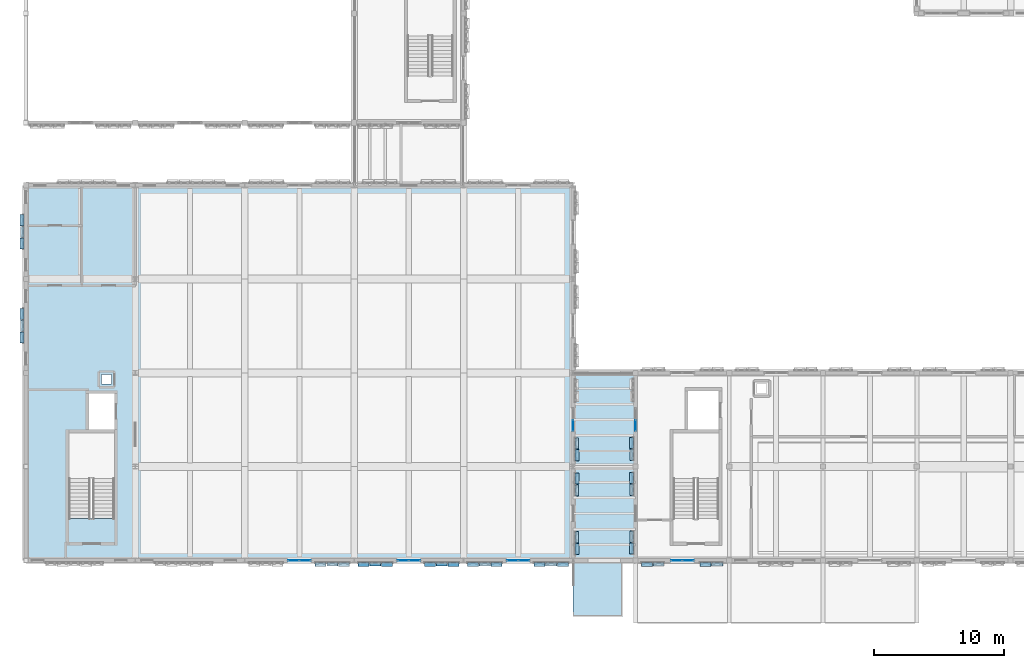
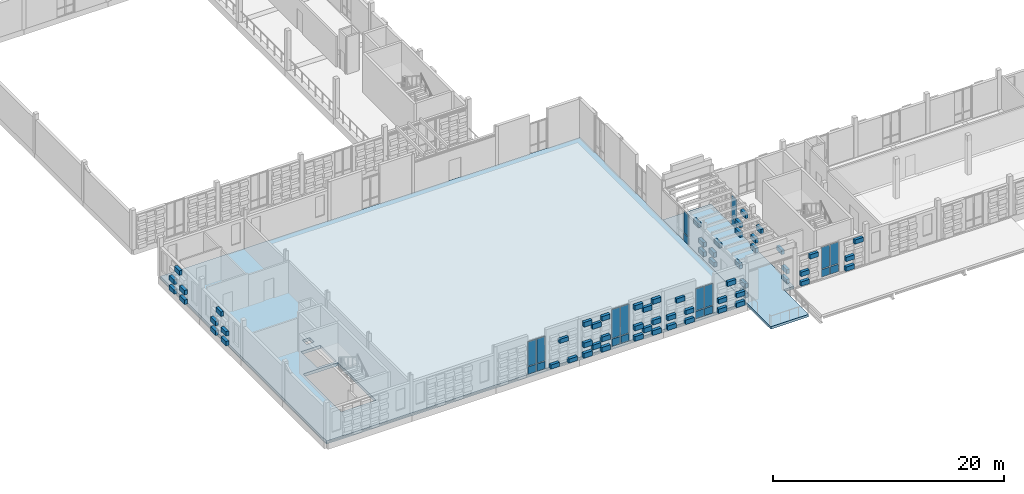
# One storey, part 44 of 99: 83 plates, 2 slabs, 6 elements without a shape of their own.
"""IFC4 building model written with IfcOpenShell, lengths in metres."""

from ifc_helpers import new_model, si_unit, direction, frame, origin, origin_2d, place, context, subcontext, project, spatial, polyline, rectangle, outline, extrude, material, layer, layer_set, type_object, element, aggregate, save


model = new_model("IFC4")

# Units and contexts
model_context = context("Model", 3, precision=1e-05, world=origin(), true_north=direction((0.0, 1.0)))
body_context = subcontext(model_context, "Body", "Model", "MODEL_VIEW")
ifc_project = project(units=[si_unit("LENGTHUNIT", "METRE"), si_unit("AREAUNIT", "SQUARE_METRE"), si_unit("VOLUMEUNIT", "CUBIC_METRE"), si_unit("PLANEANGLEUNIT", "RADIAN"), si_unit("MASSUNIT", "GRAM", prefix="KILO")], contexts=[model_context])

# Site, building, storey
site_placement = place(None, origin())
site = spatial("IfcSite", under=ifc_project, at=site_placement, CompositionType="ELEMENT")
building_placement = place(site_placement, origin())
building = spatial("IfcBuilding", under=site, at=building_placement, Name="Kahlenmark Community Centre", CompositionType="ELEMENT")
storey_placement = place(building_placement, frame((0.0, 0.0, 5.39990234375)))
storey = spatial("IfcBuildingStorey", under=building, at=storey_placement, Name="L01", CompositionType="ELEMENT", Elevation=5.39990234375)

# Curtain wall, plates
ifc_material_1 = material(Name="Anodised aluminium unitised curtain wall", Category="aluminium")
curtain_wall_type_1 = type_object("IfcCurtainWallType", Name="CWT-UNIT-180X321", PredefinedType="USERDEFINED", material=ifc_material_1)
curtain_wall_1_placement = place(storey_placement, origin())
curtain_wall_1 = element("IfcCurtainWall", 1, at=curtain_wall_1_placement, inside=storey, type_object=curtain_wall_type_1, Name="Unitised curtain wall CW-003", ObjectType="UNITISED CURTAIN WALL", PredefinedType="USERDEFINED")
ifc_material_2 = material(Name="Triple low-e solar-control glass unit", Category="glass")
ifc_layer_1 = layer(ifc_material_2, 0.0439453125)
ifc_layer_set_1 = layer_set([ifc_layer_1], Name="Triple low-e solar-control glass unit")
plate_type_1 = type_object("IfcPlateType", Name="PLT-CW-GLZ-820X2280", PredefinedType="CURTAIN_PANEL", material=ifc_layer_set_1)
plate_1_placement = place(storey_placement, frame((41.35009765625, 8.800048828125, 0.89013671875), z_axis=(0.0, 0.0, 1.0), x_axis=(1.0, 0.0, 0.0)))
plate_1 = element("IfcPlate", 2, at=plate_1_placement, type_object=plate_type_1, Name="CW-003 glazed panel 1", PredefinedType="CURTAIN_PANEL", context=body_context, shape_type="SweptSolid", body=[
    extrude(rectangle(XDim=0.820068359375, YDim=0.0439453125, at=origin_2d()), origin(), (0.0, 0.0, 1.0), 2.280029296875),
])
plate_2_placement = place(storey_placement, frame((42.25, 8.800048828125, 0.89013671875), z_axis=(0.0, 0.0, 1.0), x_axis=(1.0, 0.0, 0.0)))
plate_2 = element("IfcPlate", 3, at=plate_2_placement, type_object=plate_type_1, Name="CW-003 glazed panel 2", PredefinedType="CURTAIN_PANEL", context=body_context, shape_type="SweptSolid", body=[
    extrude(rectangle(XDim=0.820068359375, YDim=0.0439453125, at=origin_2d()), origin(), (0.0, 0.0, 1.0), 2.280029296875),
])

# Curtain wall, plate
curtain_wall_2_placement = place(storey_placement, origin())
curtain_wall_2 = element("IfcCurtainWall", 4, at=curtain_wall_2_placement, inside=storey, type_object=curtain_wall_type_1, Name="Unitised curtain wall CW-006", ObjectType="UNITISED CURTAIN WALL", PredefinedType="USERDEFINED")
plate_3_placement = place(storey_placement, frame((46.0, 19.14990234375, 0.89013671875), z_axis=(0.0, 0.0, 1.0), x_axis=(0.0, 1.0, 0.0)))
plate_3 = element("IfcPlate", 5, at=plate_3_placement, type_object=plate_type_1, Name="CW-006 glazed panel 1", PredefinedType="CURTAIN_PANEL", context=body_context, shape_type="SweptSolid", body=[
    extrude(rectangle(XDim=0.820068359375, YDim=0.0439453125, at=origin_2d()), origin(), (0.0, 0.0, 1.0), 2.280029296875),
])

# Curtain wall, plates
curtain_wall_3_placement = place(storey_placement, origin())
curtain_wall_3 = element("IfcCurtainWall", 6, at=curtain_wall_3_placement, inside=storey, type_object=curtain_wall_type_1, Name="Unitised curtain wall CW-019", ObjectType="UNITISED CURTAIN WALL", PredefinedType="USERDEFINED")
plate_4_placement = place(storey_placement, frame((53.949951171875, 8.800048828125, 0.89013671875), z_axis=(0.0, 0.0, 1.0), x_axis=(1.0, 0.0, 0.0)))
plate_4 = element("IfcPlate", 7, at=plate_4_placement, type_object=plate_type_1, Name="CW-019 glazed panel 1", PredefinedType="CURTAIN_PANEL", context=body_context, shape_type="SweptSolid", body=[
    extrude(rectangle(XDim=0.820068359375, YDim=0.0439453125, at=origin_2d()), origin(), (0.0, 0.0, 1.0), 2.280029296875),
])
plate_5_placement = place(storey_placement, frame((54.85009765625, 8.800048828125, 0.89013671875), z_axis=(0.0, 0.0, 1.0), x_axis=(1.0, 0.0, 0.0)))
plate_5 = element("IfcPlate", 8, at=plate_5_placement, type_object=plate_type_1, Name="CW-019 glazed panel 2", PredefinedType="CURTAIN_PANEL", context=body_context, shape_type="SweptSolid", body=[
    extrude(rectangle(XDim=0.820068359375, YDim=0.0439453125, at=origin_2d()), origin(), (0.0, 0.0, 1.0), 2.280029296875),
])

# Curtain wall, plate
curtain_wall_4_placement = place(storey_placement, origin())
curtain_wall_4 = element("IfcCurtainWall", 9, at=curtain_wall_4_placement, inside=storey, type_object=curtain_wall_type_1, Name="Unitised curtain wall CW-027", ObjectType="UNITISED CURTAIN WALL", PredefinedType="USERDEFINED")
plate_6_placement = place(storey_placement, frame((50.800048828125, 19.14990234375, 0.89013671875), z_axis=(0.0, 0.0, 1.0), x_axis=(0.0, -1.0, 0.0)))
plate_6 = element("IfcPlate", 10, at=plate_6_placement, type_object=plate_type_1, Name="CW-027 glazed panel 2", PredefinedType="CURTAIN_PANEL", context=body_context, shape_type="SweptSolid", body=[
    extrude(rectangle(XDim=0.820068359375, YDim=0.0439453125, at=origin_2d()), origin(), (0.0, 0.0, 1.0), 2.280029296875),
])

# Curtain wall, plates
curtain_wall_type_2 = type_object("IfcCurtainWallType", Name="CWT-UNIT-180X350", PredefinedType="USERDEFINED", material=ifc_material_1)
curtain_wall_5_placement = place(storey_placement, origin())
curtain_wall_5 = element("IfcCurtainWall", 11, at=curtain_wall_5_placement, inside=storey, type_object=curtain_wall_type_2, Name="Unitised curtain wall CW-001", ObjectType="UNITISED CURTAIN WALL", PredefinedType="USERDEFINED")
ifc_layer_2 = layer(ifc_material_2, 0.0439453125)
ifc_layer_set_2 = layer_set([ifc_layer_2], Name="Triple low-e solar-control glass unit")
plate_type_2 = type_object("IfcPlateType", Name="PLT-CW-GLZ-820X2570", PredefinedType="CURTAIN_PANEL", material=ifc_layer_set_2)
plate_7_placement = place(storey_placement, frame((24.550048828125, 8.800048828125, 0.89013671875), z_axis=(0.0, 0.0, 1.0), x_axis=(1.0, 0.0, 0.0)))
plate_7 = element("IfcPlate", 12, at=plate_7_placement, type_object=plate_type_2, Name="CW-001 glazed panel 1", PredefinedType="CURTAIN_PANEL", context=body_context, shape_type="SweptSolid", body=[
    extrude(rectangle(XDim=0.820068359375, YDim=0.0439453125, at=origin_2d()), origin(), (0.0, 0.0, 1.0), 2.570068359375),
])
plate_8_placement = place(storey_placement, frame((25.449951171875, 8.800048828125, 0.89013671875), z_axis=(0.0, 0.0, 1.0), x_axis=(1.0, 0.0, 0.0)))
plate_8 = element("IfcPlate", 13, at=plate_8_placement, type_object=plate_type_2, Name="CW-001 glazed panel 2", PredefinedType="CURTAIN_PANEL", context=body_context, shape_type="SweptSolid", body=[
    extrude(rectangle(XDim=0.820068359375, YDim=0.0439453125, at=origin_2d()), origin(), (0.0, 0.0, 1.0), 2.570068359375),
])

curtain_wall_type_3 = type_object("IfcCurtainWallType", Name="CWT-UNIT-180X398", PredefinedType="USERDEFINED", material=ifc_material_1)
curtain_wall_6_placement = place(storey_placement, origin())
curtain_wall_6 = element("IfcCurtainWall", 14, at=curtain_wall_6_placement, inside=storey, type_object=curtain_wall_type_3, Name="Unitised curtain wall CW-002", ObjectType="UNITISED CURTAIN WALL", PredefinedType="USERDEFINED")
ifc_layer_3 = layer(ifc_material_2, 0.0439453125)
ifc_layer_set_3 = layer_set([ifc_layer_3], Name="Triple low-e solar-control glass unit")
plate_type_3 = type_object("IfcPlateType", Name="PLT-CW-GLZ-820X3050", PredefinedType="CURTAIN_PANEL", material=ifc_layer_set_3)
plate_9_placement = place(storey_placement, frame((32.949951171875, 8.800048828125, 0.89013671875), z_axis=(0.0, 0.0, 1.0), x_axis=(1.0, 0.0, 0.0)))
plate_9 = element("IfcPlate", 15, at=plate_9_placement, type_object=plate_type_3, Name="CW-002 glazed panel 1", PredefinedType="CURTAIN_PANEL", context=body_context, shape_type="SweptSolid", body=[
    extrude(rectangle(XDim=0.820068359375, YDim=0.0439453125, at=origin_2d()), origin(), (0.0, 0.0, 1.0), 3.050048828125),
])
plate_10_placement = place(storey_placement, frame((33.85009765625, 8.800048828125, 0.89013671875), z_axis=(0.0, 0.0, 1.0), x_axis=(1.0, 0.0, 0.0)))
plate_10 = element("IfcPlate", 16, at=plate_10_placement, type_object=plate_type_3, Name="CW-002 glazed panel 2", PredefinedType="CURTAIN_PANEL", context=body_context, shape_type="SweptSolid", body=[
    extrude(rectangle(XDim=0.820068359375, YDim=0.0439453125, at=origin_2d()), origin(), (0.0, 0.0, 1.0), 3.050048828125),
])

# Plate
ifc_material_3 = material(Name="Warm terracotta insulated spandrel cassette", Category="masonry")
ifc_layer_4 = layer(ifc_material_3, 0.06005859375)
ifc_layer_set_4 = layer_set([ifc_layer_4], Name="Warm terracotta insulated spandrel cassette")
plate_type_4 = type_object("IfcPlateType", Name="PLT-CW-SPD-820X770", PredefinedType="CURTAIN_PANEL", material=ifc_layer_set_4)
plate_11_placement = place(storey_placement, frame((24.550048828125, 8.800048828125, 0.0400390625), z_axis=(0.0, 0.0, 1.0), x_axis=(1.0, 0.0, 0.0)))
plate_11 = element("IfcPlate", 17, at=plate_11_placement, type_object=plate_type_4, Name="CW-001 spandrel 1", PredefinedType="CURTAIN_PANEL", context=body_context, shape_type="SweptSolid", body=[
    extrude(rectangle(XDim=0.820068359375, YDim=0.06005859375, at=origin_2d()), origin(), (0.0, 0.0, 1.0), 0.77001953125),
])

plate_12_placement = place(storey_placement, frame((25.449951171875, 8.800048828125, 0.0400390625), z_axis=(0.0, 0.0, 1.0), x_axis=(1.0, 0.0, 0.0)))
plate_12 = element("IfcPlate", 18, at=plate_12_placement, type_object=plate_type_4, Name="CW-001 spandrel 2", PredefinedType="CURTAIN_PANEL", context=body_context, shape_type="SweptSolid", body=[
    extrude(rectangle(XDim=0.820068359375, YDim=0.06005859375, at=origin_2d()), origin(), (0.0, 0.0, 1.0), 0.77001953125),
])

aggregate(curtain_wall_5, [plate_11, plate_7, plate_12, plate_8])

plate_13_placement = place(storey_placement, frame((32.949951171875, 8.800048828125, 0.0400390625), z_axis=(0.0, 0.0, 1.0), x_axis=(1.0, 0.0, 0.0)))
plate_13 = element("IfcPlate", 19, at=plate_13_placement, type_object=plate_type_4, Name="CW-002 spandrel 1", PredefinedType="CURTAIN_PANEL", context=body_context, shape_type="SweptSolid", body=[
    extrude(rectangle(XDim=0.820068359375, YDim=0.06005859375, at=origin_2d()), origin(), (0.0, 0.0, 1.0), 0.77001953125),
])

plate_14_placement = place(storey_placement, frame((33.85009765625, 8.800048828125, 0.0400390625), z_axis=(0.0, 0.0, 1.0), x_axis=(1.0, 0.0, 0.0)))
plate_14 = element("IfcPlate", 20, at=plate_14_placement, type_object=plate_type_4, Name="CW-002 spandrel 2", PredefinedType="CURTAIN_PANEL", context=body_context, shape_type="SweptSolid", body=[
    extrude(rectangle(XDim=0.820068359375, YDim=0.06005859375, at=origin_2d()), origin(), (0.0, 0.0, 1.0), 0.77001953125),
])

aggregate(curtain_wall_6, [plate_13, plate_9, plate_14, plate_10])

plate_15_placement = place(storey_placement, frame((41.35009765625, 8.800048828125, 0.0400390625), z_axis=(0.0, 0.0, 1.0), x_axis=(1.0, 0.0, 0.0)))
plate_15 = element("IfcPlate", 21, at=plate_15_placement, type_object=plate_type_4, Name="CW-003 spandrel 1", PredefinedType="CURTAIN_PANEL", context=body_context, shape_type="SweptSolid", body=[
    extrude(rectangle(XDim=0.820068359375, YDim=0.06005859375, at=origin_2d()), origin(), (0.0, 0.0, 1.0), 0.77001953125),
])

plate_16_placement = place(storey_placement, frame((42.25, 8.800048828125, 0.0400390625), z_axis=(0.0, 0.0, 1.0), x_axis=(1.0, 0.0, 0.0)))
plate_16 = element("IfcPlate", 22, at=plate_16_placement, type_object=plate_type_4, Name="CW-003 spandrel 2", PredefinedType="CURTAIN_PANEL", context=body_context, shape_type="SweptSolid", body=[
    extrude(rectangle(XDim=0.820068359375, YDim=0.06005859375, at=origin_2d()), origin(), (0.0, 0.0, 1.0), 0.77001953125),
])

aggregate(curtain_wall_1, [plate_15, plate_1, plate_16, plate_2])

plate_17_placement = place(storey_placement, frame((46.0, 19.14990234375, 0.0400390625), z_axis=(0.0, 0.0, 1.0), x_axis=(0.0, 1.0, 0.0)))
plate_17 = element("IfcPlate", 23, at=plate_17_placement, type_object=plate_type_4, Name="CW-006 spandrel 1", PredefinedType="CURTAIN_PANEL", context=body_context, shape_type="SweptSolid", body=[
    extrude(rectangle(XDim=0.820068359375, YDim=0.06005859375, at=origin_2d()), origin(), (0.0, 0.0, 1.0), 0.77001953125),
])

aggregate(curtain_wall_2, [plate_17, plate_3])

plate_18_placement = place(storey_placement, frame((53.949951171875, 8.800048828125, 0.0400390625), z_axis=(0.0, 0.0, 1.0), x_axis=(1.0, 0.0, 0.0)))
plate_18 = element("IfcPlate", 24, at=plate_18_placement, type_object=plate_type_4, Name="CW-019 spandrel 1", PredefinedType="CURTAIN_PANEL", context=body_context, shape_type="SweptSolid", body=[
    extrude(rectangle(XDim=0.820068359375, YDim=0.06005859375, at=origin_2d()), origin(), (0.0, 0.0, 1.0), 0.77001953125),
])

plate_19_placement = place(storey_placement, frame((54.85009765625, 8.800048828125, 0.0400390625), z_axis=(0.0, 0.0, 1.0), x_axis=(1.0, 0.0, 0.0)))
plate_19 = element("IfcPlate", 25, at=plate_19_placement, type_object=plate_type_4, Name="CW-019 spandrel 2", PredefinedType="CURTAIN_PANEL", context=body_context, shape_type="SweptSolid", body=[
    extrude(rectangle(XDim=0.820068359375, YDim=0.06005859375, at=origin_2d()), origin(), (0.0, 0.0, 1.0), 0.77001953125),
])

aggregate(curtain_wall_3, [plate_18, plate_4, plate_19, plate_5])

plate_20_placement = place(storey_placement, frame((50.800048828125, 19.14990234375, 0.0400390625), z_axis=(0.0, 0.0, 1.0), x_axis=(0.0, -1.0, 0.0)))
plate_20 = element("IfcPlate", 26, at=plate_20_placement, type_object=plate_type_4, Name="CW-027 spandrel 2", PredefinedType="CURTAIN_PANEL", context=body_context, shape_type="SweptSolid", body=[
    extrude(rectangle(XDim=0.820068359375, YDim=0.06005859375, at=origin_2d()), origin(), (0.0, 0.0, 1.0), 0.77001953125),
])

aggregate(curtain_wall_4, [plate_20, plate_6])

# Plates
ifc_material_4 = material(Name="Extruded glazed terracotta weave cassette", Category="masonry")
ifc_layer_5 = layer(ifc_material_4, 0.300048828125)
ifc_layer_set_5 = layer_set([ifc_layer_5], Name="Extruded glazed terracotta weave cassette")
plate_type_5 = type_object("IfcPlateType", Name="PLT-TC-TC-R34-820X300X506", PredefinedType="SHEET", material=ifc_layer_set_5)
for number, where, z_axis, x_axis, name in (
    (27, (29.929931640625, 8.5, 3.3759765625), (0.0, 0.0, 1.0), (1.0, 0.0, 0.0), "Basketweave terracotta cassette 0109"),
    (28, (31.72998046875, 8.5, 3.3759765625), (0.0, 0.0, 1.0), (1.0, 0.0, 0.0), "Basketweave terracotta cassette 0123"),
    (29, (35.030029296875, 8.5, 3.3759765625), (0.0, 0.0, 1.0), (1.0, 0.0, 0.0), "Basketweave terracotta cassette 0130"),
    (30, (36.830078125, 8.5, 3.3759765625), (0.0, 0.0, 1.0), (1.0, 0.0, 0.0), "Basketweave terracotta cassette 0144"),
):
    element("IfcPlate", number, at=place(storey_placement, frame(where, z_axis=z_axis, x_axis=x_axis)), inside=storey, type_object=plate_type_5, Name=name, PredefinedType="SHEET", context=body_context, shape_type="SweptSolid", body=[
        extrude(rectangle(XDim=0.820068359375, YDim=0.300048828125, at=origin_2d()), origin(), (0.0, 0.0, 1.0), 0.506103515625),
    ])
ifc_layer_6 = layer(ifc_material_4, 0.300048828125)
ifc_layer_set_6 = layer_set([ifc_layer_6], Name="Extruded glazed terracotta weave cassette")
plate_type_6 = type_object("IfcPlateType", Name="PLT-TC-TC-R34-840X300X468", PredefinedType="SHEET", material=ifc_layer_set_6)
for number, where, z_axis, x_axis, name in (
    (31, (38.330078125, 8.5, 1.1162109375), (0.0, 0.0, 1.0), (1.0, 0.0, 0.0), "Basketweave terracotta cassette 0147"),
    (32, (40.1298828125, 8.5, 1.1162109375), (0.0, 0.0, 1.0), (1.0, 0.0, 0.0), "Basketweave terracotta cassette 0159"),
    (33, (43.429931640625, 8.5, 1.1162109375), (0.0, 0.0, 1.0), (1.0, 0.0, 0.0), "Basketweave terracotta cassette 0165"),
    (34, (45.22998046875, 8.5, 1.1162109375), (0.0, 0.0, 1.0), (1.0, 0.0, 0.0), "Basketweave terracotta cassette 0177"),
    (35, (46.300048828125, 9.679931640625, 1.1162109375), (0.0, 0.0, 1.0), (0.0, 1.0, 0.0), "Basketweave terracotta cassette 0387"),
    (36, (46.300048828125, 15.080078125, 1.1162109375), (0.0, 0.0, 1.0), (0.0, 1.0, 0.0), "Basketweave terracotta cassette 0405"),
    (37, (46.300048828125, 16.8798828125, 1.1162109375), (0.0, 0.0, 1.0), (0.0, 1.0, 0.0), "Basketweave terracotta cassette 0411"),
    (38, (51.679931640625, 8.5, 1.1162109375), (0.0, 0.0, 1.0), (1.0, 0.0, 0.0), "Basketweave terracotta cassette 0937"),
    (39, (56.179931640625, 8.5, 1.1162109375), (0.0, 0.0, 1.0), (1.0, 0.0, 0.0), "Basketweave terracotta cassette 0949"),
    (40, (50.5, 15.1201171875, 1.1162109375), (0.0, 0.0, 1.0), (0.0, -1.0, 0.0), "Basketweave terracotta cassette 1165"),
    (41, (50.5, 9.719970703125, 1.1162109375), (0.0, 0.0, 1.0), (0.0, -1.0, 0.0), "Basketweave terracotta cassette 1183"),
    (42, (50.5, 17.820068359375, 1.1162109375), (0.0, 0.0, 1.0), (0.0, -1.0, 0.0), "Basketweave terracotta cassette 1201"),
):
    element("IfcPlate", number, at=place(storey_placement, frame(where, z_axis=z_axis, x_axis=x_axis)), inside=storey, type_object=plate_type_6, Name=name, PredefinedType="SHEET", context=body_context, shape_type="SweptSolid", body=[
        extrude(rectangle(XDim=0.840087890625, YDim=0.300048828125, at=origin_2d()), origin(), (0.0, 0.0, 1.0), 0.468017578125),
    ])
ifc_layer_7 = layer(ifc_material_4, 0.300048828125)
ifc_layer_set_7 = layer_set([ifc_layer_7], Name="Extruded glazed terracotta weave cassette")
plate_type_7 = type_object("IfcPlateType", Name="PLT-TC-TC-R34-840X300X472", PredefinedType="SHEET", material=ifc_layer_set_7)
for number, where, z_axis, x_axis, name in (
    (43, (3.699951171875, 27.719970703125, 1.1240234375), (0.0, 0.0, 1.0), (0.0, -1.0, 0.0), "Basketweave terracotta cassette 0351"),
    (44, (3.699951171875, 25.919921875, 1.1240234375), (0.0, 0.0, 1.0), (0.0, -1.0, 0.0), "Basketweave terracotta cassette 0363"),
    (45, (3.699951171875, 34.919921875, 1.1240234375), (0.0, 0.0, 1.0), (0.0, -1.0, 0.0), "Basketweave terracotta cassette 0369"),
    (46, (3.699951171875, 33.1201171875, 1.1240234375), (0.0, 0.0, 1.0), (0.0, -1.0, 0.0), "Basketweave terracotta cassette 0381"),
):
    element("IfcPlate", number, at=place(storey_placement, frame(where, z_axis=z_axis, x_axis=x_axis)), inside=storey, type_object=plate_type_7, Name=name, PredefinedType="SHEET", context=body_context, shape_type="SweptSolid", body=[
        extrude(rectangle(XDim=0.840087890625, YDim=0.300048828125, at=origin_2d()), origin(), (0.0, 0.0, 1.0), 0.471923828125),
    ])
ifc_layer_8 = layer(ifc_material_4, 0.300048828125)
ifc_layer_set_8 = layer_set([ifc_layer_8], Name="Extruded glazed terracotta weave cassette")
plate_type_8 = type_object("IfcPlateType", Name="PLT-TC-TC-R34-840X300X506", PredefinedType="SHEET", material=ifc_layer_set_8)
for number, where, z_axis, x_axis, name in (
    (47, (29.929931640625, 8.5, 1.19189453125), (0.0, 0.0, 1.0), (1.0, 0.0, 0.0), "Basketweave terracotta cassette 0105"),
    (48, (31.72998046875, 8.5, 1.19189453125), (0.0, 0.0, 1.0), (1.0, 0.0, 0.0), "Basketweave terracotta cassette 0119"),
    (49, (35.030029296875, 8.5, 1.19189453125), (0.0, 0.0, 1.0), (1.0, 0.0, 0.0), "Basketweave terracotta cassette 0126"),
    (50, (36.830078125, 8.5, 1.19189453125), (0.0, 0.0, 1.0), (1.0, 0.0, 0.0), "Basketweave terracotta cassette 0140"),
):
    element("IfcPlate", number, at=place(storey_placement, frame(where, z_axis=z_axis, x_axis=x_axis)), inside=storey, type_object=plate_type_8, Name=name, PredefinedType="SHEET", context=body_context, shape_type="SweptSolid", body=[
        extrude(rectangle(XDim=0.840087890625, YDim=0.300048828125, at=origin_2d()), origin(), (0.0, 0.0, 1.0), 0.506103515625),
    ])
ifc_layer_9 = layer(ifc_material_4, 0.300048828125)
ifc_layer_set_9 = layer_set([ifc_layer_9], Name="Extruded glazed terracotta weave cassette")
plate_type_9 = type_object("IfcPlateType", Name="PLT-TC-TC-R34-860X300X437", PredefinedType="SHEET", material=ifc_layer_set_9)
for number, where, z_axis, x_axis, name in (
    (51, (26.6298828125, 8.5, 0.10009765625), (0.0, 0.0, 1.0), (1.0, 0.0, 0.0), "Basketweave terracotta cassette 0082"),
    (52, (28.429931640625, 8.5, 0.10009765625), (0.0, 0.0, 1.0), (1.0, 0.0, 0.0), "Basketweave terracotta cassette 0096"),
):
    element("IfcPlate", number, at=place(storey_placement, frame(where, z_axis=z_axis, x_axis=x_axis)), inside=storey, type_object=plate_type_9, Name=name, PredefinedType="SHEET", context=body_context, shape_type="SweptSolid", body=[
        extrude(rectangle(XDim=0.860107421875, YDim=0.300048828125, at=origin_2d()), origin(), (0.0, 0.0, 1.0), 0.43701171875),
    ])
ifc_layer_10 = layer(ifc_material_4, 0.300048828125)
ifc_layer_set_10 = layer_set([ifc_layer_10], Name="Extruded glazed terracotta weave cassette")
plate_type_10 = type_object("IfcPlateType", Name="PLT-TC-TC-R34-860X300X468", PredefinedType="SHEET", material=ifc_layer_set_10)
for number, where, z_axis, x_axis, name in (
    (53, (38.330078125, 8.5, 0.10009765625), (0.0, 0.0, 1.0), (1.0, 0.0, 0.0), "Basketweave terracotta cassette 0145"),
    (54, (40.1298828125, 8.5, 0.10009765625), (0.0, 0.0, 1.0), (1.0, 0.0, 0.0), "Basketweave terracotta cassette 0157"),
    (55, (43.429931640625, 8.5, 0.10009765625), (0.0, 0.0, 1.0), (1.0, 0.0, 0.0), "Basketweave terracotta cassette 0163"),
    (56, (45.22998046875, 8.5, 0.10009765625), (0.0, 0.0, 1.0), (1.0, 0.0, 0.0), "Basketweave terracotta cassette 0175"),
    (57, (46.300048828125, 9.679931640625, 0.10009765625), (0.0, 0.0, 1.0), (0.0, 1.0, 0.0), "Basketweave terracotta cassette 0385"),
    (58, (46.300048828125, 15.080078125, 0.10009765625), (0.0, 0.0, 1.0), (0.0, 1.0, 0.0), "Basketweave terracotta cassette 0403"),
    (59, (46.300048828125, 16.8798828125, 0.10009765625), (0.0, 0.0, 1.0), (0.0, 1.0, 0.0), "Basketweave terracotta cassette 0409"),
    (60, (51.679931640625, 8.5, 0.10009765625), (0.0, 0.0, 1.0), (1.0, 0.0, 0.0), "Basketweave terracotta cassette 0935"),
    (61, (56.179931640625, 8.5, 0.10009765625), (0.0, 0.0, 1.0), (1.0, 0.0, 0.0), "Basketweave terracotta cassette 0947"),
    (62, (50.5, 15.1201171875, 0.10009765625), (0.0, 0.0, 1.0), (0.0, -1.0, 0.0), "Basketweave terracotta cassette 1163"),
    (63, (50.5, 9.719970703125, 0.10009765625), (0.0, 0.0, 1.0), (0.0, -1.0, 0.0), "Basketweave terracotta cassette 1181"),
    (64, (50.5, 17.820068359375, 0.10009765625), (0.0, 0.0, 1.0), (0.0, -1.0, 0.0), "Basketweave terracotta cassette 1199"),
):
    element("IfcPlate", number, at=place(storey_placement, frame(where, z_axis=z_axis, x_axis=x_axis)), inside=storey, type_object=plate_type_10, Name=name, PredefinedType="SHEET", context=body_context, shape_type="SweptSolid", body=[
        extrude(rectangle(XDim=0.860107421875, YDim=0.300048828125, at=origin_2d()), origin(), (0.0, 0.0, 1.0), 0.468017578125),
    ])
ifc_layer_11 = layer(ifc_material_4, 0.300048828125)
ifc_layer_set_11 = layer_set([ifc_layer_11], Name="Extruded glazed terracotta weave cassette")
plate_type_11 = type_object("IfcPlateType", Name="PLT-TC-TC-R34-860X300X472", PredefinedType="SHEET", material=ifc_layer_set_11)
for number, where, z_axis, x_axis, name in (
    (65, (3.699951171875, 27.719970703125, 0.10009765625), (0.0, 0.0, 1.0), (0.0, -1.0, 0.0), "Basketweave terracotta cassette 0349"),
    (66, (3.699951171875, 25.919921875, 0.10009765625), (0.0, 0.0, 1.0), (0.0, -1.0, 0.0), "Basketweave terracotta cassette 0361"),
    (67, (3.699951171875, 34.919921875, 0.10009765625), (0.0, 0.0, 1.0), (0.0, -1.0, 0.0), "Basketweave terracotta cassette 0367"),
    (68, (3.699951171875, 33.1201171875, 0.10009765625), (0.0, 0.0, 1.0), (0.0, -1.0, 0.0), "Basketweave terracotta cassette 0379"),
):
    element("IfcPlate", number, at=place(storey_placement, frame(where, z_axis=z_axis, x_axis=x_axis)), inside=storey, type_object=plate_type_11, Name=name, PredefinedType="SHEET", context=body_context, shape_type="SweptSolid", body=[
        extrude(rectangle(XDim=0.860107421875, YDim=0.300048828125, at=origin_2d()), origin(), (0.0, 0.0, 1.0), 0.471923828125),
    ])
ifc_layer_12 = layer(ifc_material_4, 0.300048828125)
ifc_layer_set_12 = layer_set([ifc_layer_12], Name="Extruded glazed terracotta weave cassette")
plate_type_12 = type_object("IfcPlateType", Name="PLT-TC-TC-R34-860X300X506", PredefinedType="SHEET", material=ifc_layer_set_12)
for number, where, z_axis, x_axis, name in (
    (69, (29.929931640625, 8.5, 0.10009765625), (0.0, 0.0, 1.0), (1.0, 0.0, 0.0), "Basketweave terracotta cassette 0103"),
    (70, (31.72998046875, 8.5, 0.10009765625), (0.0, 0.0, 1.0), (1.0, 0.0, 0.0), "Basketweave terracotta cassette 0117"),
    (71, (35.030029296875, 8.5, 0.10009765625), (0.0, 0.0, 1.0), (1.0, 0.0, 0.0), "Basketweave terracotta cassette 0124"),
    (72, (36.830078125, 8.5, 0.10009765625), (0.0, 0.0, 1.0), (1.0, 0.0, 0.0), "Basketweave terracotta cassette 0138"),
):
    element("IfcPlate", number, at=place(storey_placement, frame(where, z_axis=z_axis, x_axis=x_axis)), inside=storey, type_object=plate_type_12, Name=name, PredefinedType="SHEET", context=body_context, shape_type="SweptSolid", body=[
        extrude(rectangle(XDim=0.860107421875, YDim=0.300048828125, at=origin_2d()), origin(), (0.0, 0.0, 1.0), 0.506103515625),
    ])
ifc_layer_13 = layer(ifc_material_4, 0.280029296875)
ifc_layer_set_13 = layer_set([ifc_layer_13], Name="Extruded glazed terracotta weave cassette")
plate_type_13 = type_object("IfcPlateType", Name="PLT-TC-TC-W30-820X280X506", PredefinedType="SHEET", material=ifc_layer_set_13)
for number, where, z_axis, x_axis, name in (
    (73, (30.830078125, 8.510009765625, 0.64599609375), (0.0, 0.0, 1.0), (1.0, 0.0, 0.0), "Basketweave terracotta cassette 0111"),
    (74, (35.929931640625, 8.510009765625, 0.64599609375), (0.0, 0.0, 1.0), (1.0, 0.0, 0.0), "Basketweave terracotta cassette 0132"),
):
    element("IfcPlate", number, at=place(storey_placement, frame(where, z_axis=z_axis, x_axis=x_axis)), inside=storey, type_object=plate_type_13, Name=name, PredefinedType="SHEET", context=body_context, shape_type="SweptSolid", body=[
        extrude(rectangle(XDim=0.820068359375, YDim=0.280029296875, at=origin_2d()), origin(), (0.0, 0.0, 1.0), 0.506103515625),
    ])
ifc_layer_14 = layer(ifc_material_4, 0.280029296875)
ifc_layer_set_14 = layer_set([ifc_layer_14], Name="Extruded glazed terracotta weave cassette")
plate_type_14 = type_object("IfcPlateType", Name="PLT-TC-TC-W30-860X280X437", PredefinedType="SHEET", material=ifc_layer_set_14)
plate_21_placement = place(storey_placement, frame((27.530029296875, 8.510009765625, 2.485107421875), z_axis=(0.0, 0.0, 1.0), x_axis=(1.0, 0.0, 0.0)))
element("IfcPlate", 75, at=plate_21_placement, inside=storey, type_object=plate_type_14, Name="Basketweave terracotta cassette 0094", PredefinedType="SHEET", context=body_context, shape_type="SweptSolid", body=[
    extrude(rectangle(XDim=0.860107421875, YDim=0.280029296875, at=origin_2d()), origin(), (0.0, 0.0, 1.0), 0.43701171875),
])
ifc_layer_15 = layer(ifc_material_4, 0.280029296875)
ifc_layer_set_15 = layer_set([ifc_layer_15], Name="Extruded glazed terracotta weave cassette")
plate_type_15 = type_object("IfcPlateType", Name="PLT-TC-TC-W30-860X280X468", PredefinedType="SHEET", material=ifc_layer_set_15)
for number, where, z_axis, x_axis, name in (
    (76, (39.22998046875, 8.510009765625, 2.64013671875), (0.0, 0.0, 1.0), (1.0, 0.0, 0.0), "Basketweave terracotta cassette 0156"),
    (77, (44.330078125, 8.510009765625, 2.64013671875), (0.0, 0.0, 1.0), (1.0, 0.0, 0.0), "Basketweave terracotta cassette 0174"),
    (78, (46.2900390625, 10.580078125, 2.64013671875), (0.0, 0.0, 1.0), (0.0, 1.0, 0.0), "Basketweave terracotta cassette 0396"),
    (79, (46.2900390625, 14.179931640625, 2.64013671875), (0.0, 0.0, 1.0), (0.0, 1.0, 0.0), "Basketweave terracotta cassette 0402"),
    (80, (46.2900390625, 17.780029296875, 2.64013671875), (0.0, 0.0, 1.0), (0.0, 1.0, 0.0), "Basketweave terracotta cassette 0420"),
    (81, (52.580078125, 8.510009765625, 2.64013671875), (0.0, 0.0, 1.0), (1.0, 0.0, 0.0), "Basketweave terracotta cassette 0946"),
    (82, (57.080078125, 8.510009765625, 2.64013671875), (0.0, 0.0, 1.0), (1.0, 0.0, 0.0), "Basketweave terracotta cassette 0958"),
    (83, (50.510009765625, 14.219970703125, 2.64013671875), (0.0, 0.0, 1.0), (0.0, -1.0, 0.0), "Basketweave terracotta cassette 1174"),
    (84, (50.510009765625, 10.6201171875, 2.64013671875), (0.0, 0.0, 1.0), (0.0, -1.0, 0.0), "Basketweave terracotta cassette 1180"),
    (85, (50.510009765625, 16.919921875, 2.64013671875), (0.0, 0.0, 1.0), (0.0, -1.0, 0.0), "Basketweave terracotta cassette 1210"),
):
    element("IfcPlate", number, at=place(storey_placement, frame(where, z_axis=z_axis, x_axis=x_axis)), inside=storey, type_object=plate_type_15, Name=name, PredefinedType="SHEET", context=body_context, shape_type="SweptSolid", body=[
        extrude(rectangle(XDim=0.860107421875, YDim=0.280029296875, at=origin_2d()), origin(), (0.0, 0.0, 1.0), 0.468017578125),
    ])
ifc_layer_16 = layer(ifc_material_4, 0.280029296875)
ifc_layer_set_16 = layer_set([ifc_layer_16], Name="Extruded glazed terracotta weave cassette")
plate_type_16 = type_object("IfcPlateType", Name="PLT-TC-TC-W30-860X280X472", PredefinedType="SHEET", material=ifc_layer_set_16)
for number, where, z_axis, x_axis, name in (
    (86, (3.7099609375, 26.820068359375, 2.66015625), (0.0, 0.0, 1.0), (0.0, -1.0, 0.0), "Basketweave terracotta cassette 0360"),
    (87, (3.7099609375, 34.02001953125, 2.66015625), (0.0, 0.0, 1.0), (0.0, -1.0, 0.0), "Basketweave terracotta cassette 0378"),
):
    element("IfcPlate", number, at=place(storey_placement, frame(where, z_axis=z_axis, x_axis=x_axis)), inside=storey, type_object=plate_type_16, Name=name, PredefinedType="SHEET", context=body_context, shape_type="SweptSolid", body=[
        extrude(rectangle(XDim=0.860107421875, YDim=0.280029296875, at=origin_2d()), origin(), (0.0, 0.0, 1.0), 0.471923828125),
    ])
ifc_layer_17 = layer(ifc_material_4, 0.280029296875)
ifc_layer_set_17 = layer_set([ifc_layer_17], Name="Extruded glazed terracotta weave cassette")
plate_type_17 = type_object("IfcPlateType", Name="PLT-TC-TC-W30-860X280X506", PredefinedType="SHEET", material=ifc_layer_set_17)
for number, where, z_axis, x_axis, name in (
    (88, (30.830078125, 8.510009765625, 2.830078125), (0.0, 0.0, 1.0), (1.0, 0.0, 0.0), "Basketweave terracotta cassette 0115"),
    (89, (35.929931640625, 8.510009765625, 2.830078125), (0.0, 0.0, 1.0), (1.0, 0.0, 0.0), "Basketweave terracotta cassette 0136"),
):
    element("IfcPlate", number, at=place(storey_placement, frame(where, z_axis=z_axis, x_axis=x_axis)), inside=storey, type_object=plate_type_17, Name=name, PredefinedType="SHEET", context=body_context, shape_type="SweptSolid", body=[
        extrude(rectangle(XDim=0.860107421875, YDim=0.280029296875, at=origin_2d()), origin(), (0.0, 0.0, 1.0), 0.506103515625),
    ])

# Slabs
ifc_material_5 = material(Name="Concrete C35/45", Category="concrete")
ifc_layer_18 = layer(ifc_material_5, 0.320068359375)
ifc_layer_set_18 = layer_set([ifc_layer_18], Name="Concrete C35/45")
slab_type_1 = type_object("IfcSlabType", Name="ST-FL-RC320", PredefinedType="FLOOR", material=ifc_layer_set_18)
slab_1_placement = place(storey_placement, frame((0.0, 0.0, -0.31982421875)))
element("IfcSlab", 90, at=slab_1_placement, inside=storey, type_object=slab_type_1, Name="L01 suspended floor slab V1", PredefinedType="FLOOR", context=body_context, shape_type="SweptSolid", body=[
    extrude(outline(polyline([(4.0, 8.800048828125), (46.0, 8.800048828125), (46.0, 37.60009765625), (4.0, 37.60009765625), (4.0, 8.800048828125)]), holes=[polyline([(7.305908203125, 12.006103515625), (10.7939453125, 12.006103515625), (10.7939453125, 18.593994140625), (7.305908203125, 18.593994140625), (7.305908203125, 12.006103515625)]), polyline([(8.845947265625, 18.85595703125), (10.7939453125, 18.85595703125), (10.7939453125, 21.60400390625), (8.845947265625, 21.60400390625), (8.845947265625, 18.85595703125)]), polyline([(9.825927734375, 22.325927734375), (10.573974609375, 22.325927734375), (10.573974609375, 23.073974609375), (9.825927734375, 23.073974609375), (9.825927734375, 22.325927734375)])]), origin(), (0.0, 0.0, 1.0), 0.31982421875),
])
ifc_layer_19 = layer(ifc_material_5, 0.260009765625)
ifc_layer_set_19 = layer_set([ifc_layer_19], Name="Concrete C35/45")
slab_type_2 = type_object("IfcSlabType", Name="ST-TER-RC260", PredefinedType="FLOOR", material=ifc_layer_set_19)
slab_2_placement = place(storey_placement, frame((0.0, 0.0, -0.260009765625)))
element("IfcSlab", 91, at=slab_2_placement, inside=storey, type_object=slab_type_2, Name="Podium outdoor terrace TER-L01-PASSAGE", PredefinedType="FLOOR", context=body_context, shape_type="SweptSolid", body=[
    extrude(outline(polyline([(46.0, 4.5), (49.800048828125, 4.5), (49.800048828125, 8.800048828125), (50.800048828125, 8.800048828125), (50.800048828125, 23.199951171875), (46.0, 23.199951171875), (46.0, 4.5)])), origin(), (0.0, 0.0, 1.0), 0.260009765625),
])

save(model, "model.ifc")
